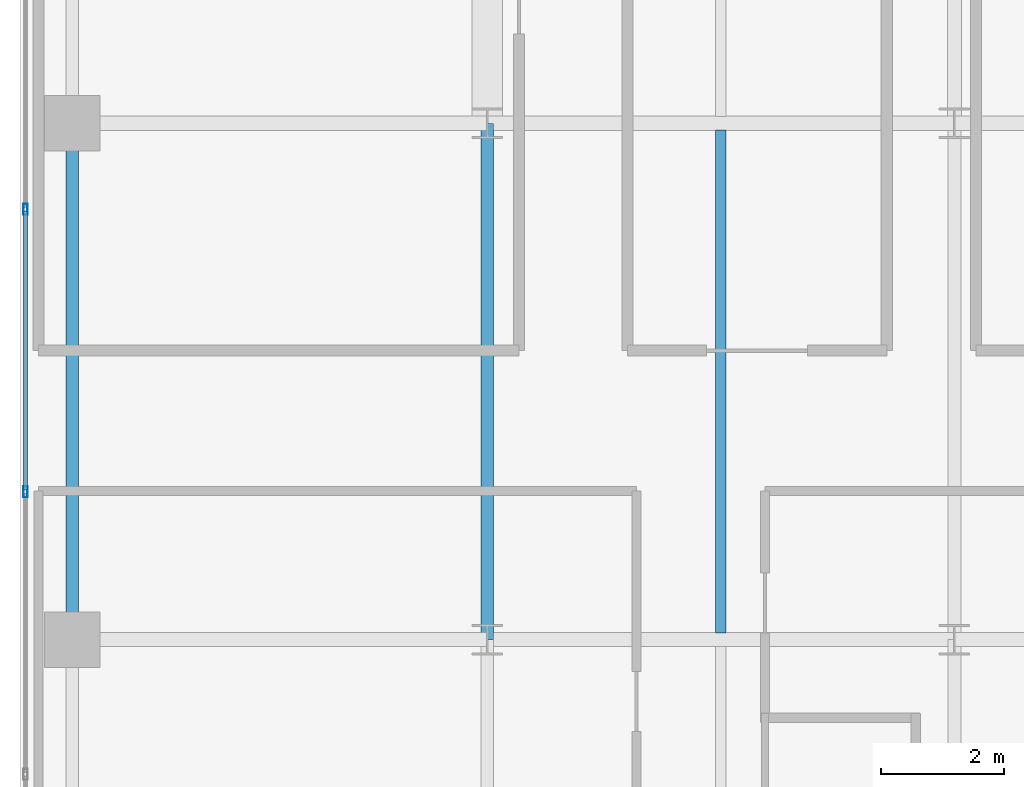
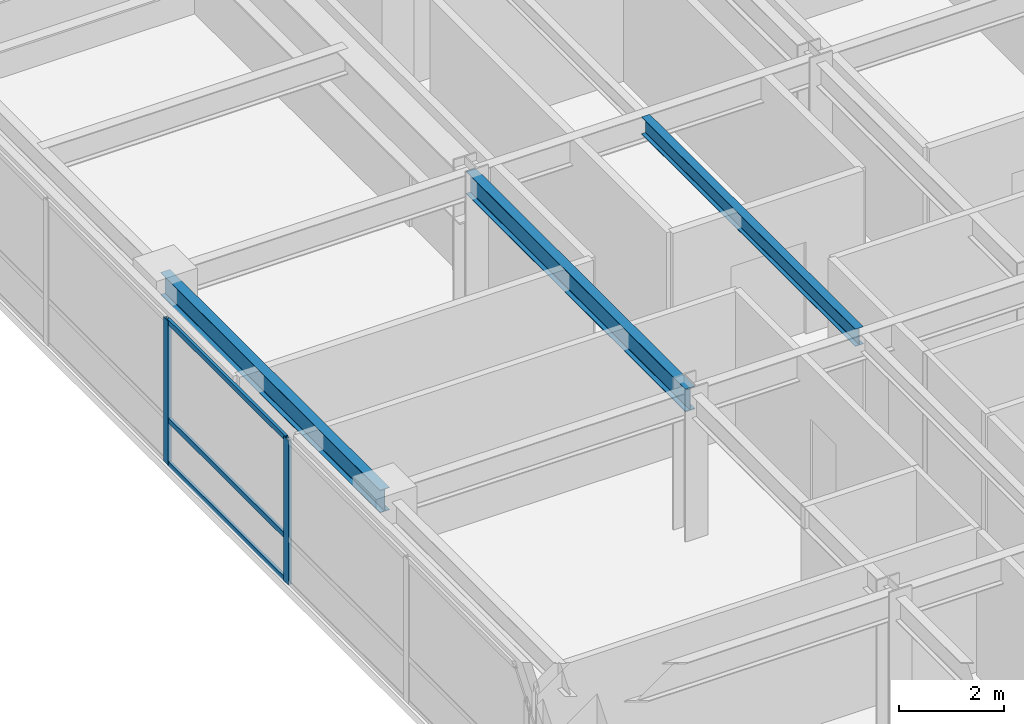
# One storey, part 9 of 30: 5 members, 3 beams, 1 element without a shape of its own.
"""IFC4 building model written with IfcOpenShell, lengths in metres."""

from ifc_helpers import new_model, si_unit, direction, frame, origin, origin_2d, place, context, subcontext, project, spatial, hollow_rectangle, i_section, extrude, source, transform, mapped, material, layer, layer_set, material_profile, profile_set, type_object, type_shapes, element, aggregate, save


model = new_model("IFC4")

# Units and contexts
model_context = context("Model", 3, precision=1e-05, world=origin(), true_north=direction((0.0, 1.0)))
body_context = subcontext(model_context, "Body", "Model", "MODEL_VIEW")
ifc_project = project(units=[si_unit("LENGTHUNIT", "METRE"), si_unit("AREAUNIT", "SQUARE_METRE"), si_unit("VOLUMEUNIT", "CUBIC_METRE"), si_unit("PLANEANGLEUNIT", "RADIAN"), si_unit("MASSUNIT", "GRAM", prefix="KILO")], contexts=[model_context])

# Site, building, storey
site_placement = place(None, origin())
site = spatial("IfcSite", under=ifc_project, at=site_placement, CompositionType="ELEMENT")
building_placement = place(site_placement, origin())
building = spatial("IfcBuilding", under=site, at=building_placement, Name="Tolvann Quenvar Hotel", CompositionType="ELEMENT")
storey_placement = place(building_placement, frame((0.0, 0.0, 100.89990234375)))
storey = spatial("IfcBuildingStorey", under=building, at=storey_placement, Name="L25", CompositionType="ELEMENT", Elevation=100.89990234375)

# Beams
ifc_material_1 = material(Name="Steel Grade 350", Category="steel")
ifc_material_profile_1 = material_profile(ifc_material_1, i_section(OverallWidth=0.208984375, OverallDepth=0.528076171875, WebThickness=0.009521484375, FlangeThickness=0.01318359375, FilletRadius=0.013916015625, at=origin_2d()), Name="530UB82")
ifc_profile_set_1 = profile_set([ifc_material_profile_1], Name="Steel Grade 350")
beam_type_1 = type_object("IfcBeamType", Name="BM_SPAND_530UB82", PredefinedType="SPANDREL", material=ifc_profile_set_1)
shared_shape_1 = source(origin(), body_context, "Body", "SweptSolid", [
    extrude(i_section(OverallWidth=0.208984375, OverallDepth=0.528076171875, WebThickness=0.009521484375, FlangeThickness=0.01318359375, FilletRadius=0.013916015625, at=origin_2d()), origin(), (0.0, 0.0, 1.0), 8.39990234375),
])
type_shapes(beam_type_1, [shared_shape_1])
beam_1_placement = place(storey_placement, frame((0.85009765625, 16.0, 3.106201171875), z_axis=(0.0, 1.0, 0.0), x_axis=(-1.0, 0.0, 0.0)))
element("IfcBeam", 1, at=beam_1_placement, inside=storey, type_object=beam_type_1, Name="BM-L25-NS-B4-B5", PredefinedType="SPANDREL", context=body_context, shape_type="MappedRepresentation", body=[
    mapped(shared_shape_1, transform((0.0, 0.0, 0.0), x_axis=(1.0, 0.0, 0.0), y_axis=(0.0, 1.0, 0.0), z_axis=(0.0, 0.0, 1.0), scale=1.0)),
])
ifc_material_profile_2 = material_profile(ifc_material_1, i_section(OverallWidth=0.208984375, OverallDepth=0.532958984375, WebThickness=0.01025390625, FlangeThickness=0.015625, FilletRadius=0.013916015625, at=origin_2d()), Name="530UB92")
ifc_profile_set_2 = profile_set([ifc_material_profile_2], Name="Steel Grade 350")
beam_type_2 = type_object("IfcBeamType", Name="BM_GIRD_530UB92", PredefinedType="BEAM", material=ifc_profile_set_2)
shared_shape_2 = source(origin(), body_context, "Body", "SweptSolid", [
    extrude(i_section(OverallWidth=0.208984375, OverallDepth=0.532958984375, WebThickness=0.01025390625, FlangeThickness=0.015625, FilletRadius=0.013916015625, at=origin_2d()), origin(), (0.0, 0.0, 1.0), 8.39990234375),
])
type_shapes(beam_type_2, [shared_shape_2])
beam_2_placement = place(storey_placement, frame((7.60009765625, 16.0, 3.103515625), z_axis=(0.0, 1.0, 0.0), x_axis=(-1.0, 0.0, 0.0)))
element("IfcBeam", 2, at=beam_2_placement, inside=storey, type_object=beam_type_2, Name="BM-L25-NS-C4-C5", PredefinedType="BEAM", context=body_context, shape_type="MappedRepresentation", body=[
    mapped(shared_shape_2, transform((0.0, 0.0, 0.0), x_axis=(1.0, 0.0, 0.0), y_axis=(0.0, 1.0, 0.0), z_axis=(0.0, 0.0, 1.0), scale=1.0)),
])
ifc_material_profile_3 = material_profile(ifc_material_1, i_section(OverallWidth=0.177978515625, OverallDepth=0.406005859375, WebThickness=0.0078125, FlangeThickness=0.0126953125, FilletRadius=0.011474609375, at=origin_2d()), Name="410UB60")
ifc_profile_set_3 = profile_set([ifc_material_profile_3], Name="Steel Grade 350")
beam_type_3 = type_object("IfcBeamType", Name="BM_JOIST_410UB60", PredefinedType="JOIST", material=ifc_profile_set_3)
shared_shape_3 = source(origin(), body_context, "Body", "SweptSolid", [
    extrude(i_section(OverallWidth=0.177978515625, OverallDepth=0.406005859375, WebThickness=0.0078125, FlangeThickness=0.0126953125, FilletRadius=0.011474609375, at=origin_2d()), origin(), (0.0, 0.0, 1.0), 8.18310546875),
])
type_shapes(beam_type_3, [shared_shape_3])
beam_3_placement = place(storey_placement, frame((11.39990234375, 16.1083984375, 3.1669921875), z_axis=(0.0, 1.0, 0.0), x_axis=(-1.0, 0.0, 0.0)))
element("IfcBeam", 3, at=beam_3_placement, inside=storey, type_object=beam_type_3, Name="BJ-L25-114-160", PredefinedType="JOIST", context=body_context, shape_type="MappedRepresentation", body=[
    mapped(shared_shape_3, transform((0.0, 0.0, 0.0), x_axis=(1.0, 0.0, 0.0), y_axis=(0.0, 1.0, 0.0), z_axis=(0.0, 0.0, 1.0), scale=1.0)),
])

# Curtain wall, members
ifc_material_2 = material(Name="Thermally broken anodised architectural aluminium 6063-T6 and laminated low-E glass", Category="aluminium")
ifc_layer = layer(ifc_material_2, 0.179931640625)
ifc_layer_set = layer_set([ifc_layer], Name="Thermally broken anodised architectural aluminium 6063-T6 and laminated low-E glass")
curtain_wall_type = type_object("IfcCurtainWallType", Name="CW_SYS_BAND_04", PredefinedType="USERDEFINED", material=ifc_layer_set)
curtain_wall_placement = place(storey_placement, origin())
curtain_wall = element("IfcCurtainWall", 4, at=curtain_wall_placement, inside=storey, type_object=curtain_wall_type, Name="Curtain Wall CW-BAND-04 (CWR-L25-E23)", ObjectType="UNITISED CURTAIN WALL", PredefinedType="USERDEFINED")
ifc_material_3 = material(Name="Anodised architectural aluminium 6063-T6 framing", Category="aluminium")
ifc_material_profile_4 = material_profile(ifc_material_3, hollow_rectangle(XDim=0.070068359375, YDim=0.179931640625, WallThickness=0.00390625, at=origin_2d()), Name="180x70x4RHS")
ifc_profile_set_4 = profile_set([ifc_material_profile_4], Name="Anodised architectural aluminium 6063-T6 framing")
member_type_1 = type_object("IfcMemberType", Name="CW_MULL_180x70", PredefinedType="MULLION", material=ifc_profile_set_4)
shared_shape_4 = source(origin(), body_context, "Body", "SweptSolid", [
    extrude(hollow_rectangle(XDim=0.070068359375, YDim=0.179931640625, WallThickness=0.00390625, at=origin_2d()), origin(), (0.0, 0.0, 1.0), 3.3701171875),
])
type_shapes(member_type_1, [shared_shape_4])
member_1_placement = place(storey_placement, frame((0.090087890625, 23.0, 0.0), z_axis=(0.0, 0.0, 1.0), x_axis=(1.0, 0.0, 0.0)))
member_1 = element("IfcMember", 5, at=member_1_placement, type_object=member_type_1, Name="CW-BAND-04 mullion 5", PredefinedType="MULLION", context=body_context, shape_type="MappedRepresentation", body=[
    mapped(shared_shape_4, transform((0.0, 0.0, 0.0), x_axis=(1.0, 0.0, 0.0), y_axis=(0.0, 1.0, 0.0), z_axis=(0.0, 0.0, 1.0), scale=1.0)),
])
member_2_placement = place(storey_placement, frame((0.090087890625, 18.404296875, 0.0), z_axis=(0.0, 0.0, 1.0), x_axis=(1.0, 0.0, 0.0)))
member_2 = element("IfcMember", 6, at=member_2_placement, type_object=member_type_1, Name="CW-BAND-04 mullion 6", PredefinedType="MULLION", context=body_context, shape_type="MappedRepresentation", body=[
    mapped(shared_shape_4, transform((0.0, 0.0, 0.0), x_axis=(1.0, 0.0, 0.0), y_axis=(0.0, 1.0, 0.0), z_axis=(0.0, 0.0, 1.0), scale=1.0)),
])
ifc_material_profile_5 = material_profile(ifc_material_3, hollow_rectangle(XDim=0.06005859375, YDim=0.1201171875, WallThickness=0.00341796875, at=origin_2d()), Name="120x60x3.5RHS")
ifc_profile_set_5 = profile_set([ifc_material_profile_5], Name="Anodised architectural aluminium 6063-T6 framing")
member_type_2 = type_object("IfcMemberType", Name="CW_TRAN_120x60", PredefinedType="USERDEFINED", material=ifc_profile_set_5)
shared_shape_5 = source(origin(), body_context, "Body", "SweptSolid", [
    extrude(hollow_rectangle(XDim=0.06005859375, YDim=0.1201171875, WallThickness=0.00341796875, at=origin_2d()), origin(), (0.0, 0.0, 1.0), 4.52587890625),
])
type_shapes(member_type_2, [shared_shape_5])
member_3_placement = place(storey_placement, frame((0.090087890625, 22.965087890625, 0.030029296875), z_axis=(0.0, -1.0, 0.0), x_axis=(1.0, 0.0, 0.0)))
member_3 = element("IfcMember", 7, at=member_3_placement, type_object=member_type_2, Name="CW-BAND-04 transom 5.1", ObjectType="TRANSOM", PredefinedType="USERDEFINED", context=body_context, shape_type="MappedRepresentation", body=[
    mapped(shared_shape_5, transform((0.0, 0.0, 0.0), x_axis=(1.0, 0.0, 0.0), y_axis=(0.0, 1.0, 0.0), z_axis=(0.0, 0.0, 1.0), scale=1.0)),
])
member_4_placement = place(storey_placement, frame((0.090087890625, 22.965087890625, 1.050048828125), z_axis=(0.0, -1.0, 0.0), x_axis=(1.0, 0.0, 0.0)))
member_4 = element("IfcMember", 8, at=member_4_placement, type_object=member_type_2, Name="CW-BAND-04 transom 5.2", ObjectType="TRANSOM", PredefinedType="USERDEFINED", context=body_context, shape_type="MappedRepresentation", body=[
    mapped(shared_shape_5, transform((0.0, 0.0, 0.0), x_axis=(1.0, 0.0, 0.0), y_axis=(0.0, 1.0, 0.0), z_axis=(0.0, 0.0, 1.0), scale=1.0)),
])
member_5_placement = place(storey_placement, frame((0.090087890625, 22.965087890625, 3.340087890625), z_axis=(0.0, -1.0, 0.0), x_axis=(1.0, 0.0, 0.0)))
member_5 = element("IfcMember", 9, at=member_5_placement, type_object=member_type_2, Name="CW-BAND-04 transom 5.3", ObjectType="TRANSOM", PredefinedType="USERDEFINED", context=body_context, shape_type="MappedRepresentation", body=[
    mapped(shared_shape_5, transform((0.0, 0.0, 0.0), x_axis=(1.0, 0.0, 0.0), y_axis=(0.0, 1.0, 0.0), z_axis=(0.0, 0.0, 1.0), scale=1.0)),
])
aggregate(curtain_wall, [member_1, member_2, member_3, member_4, member_5])

save(model, "model.ifc")
